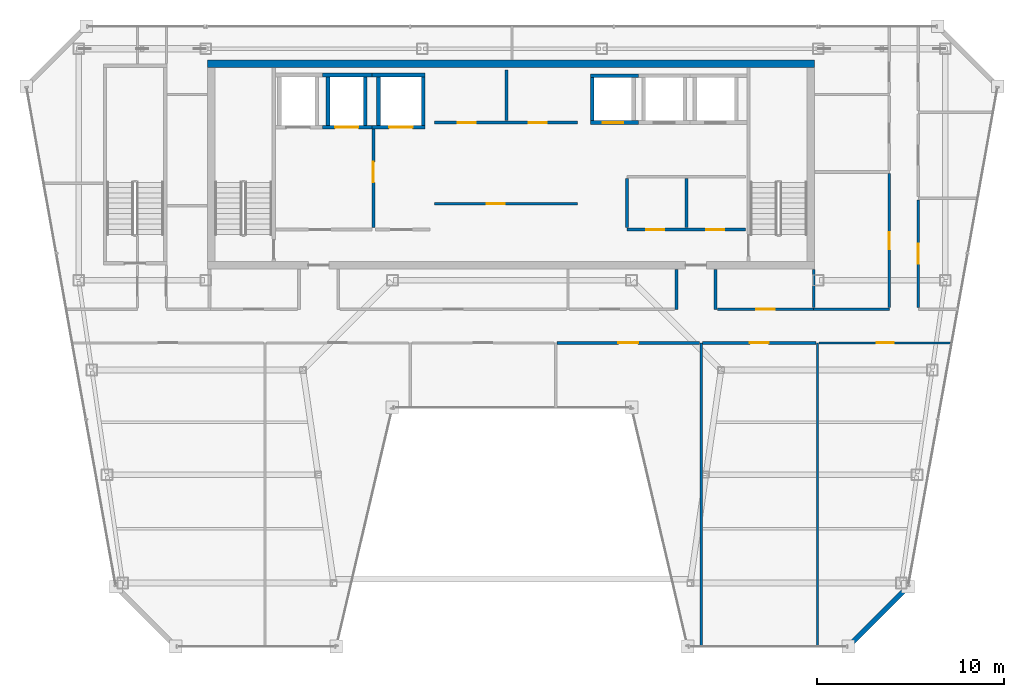
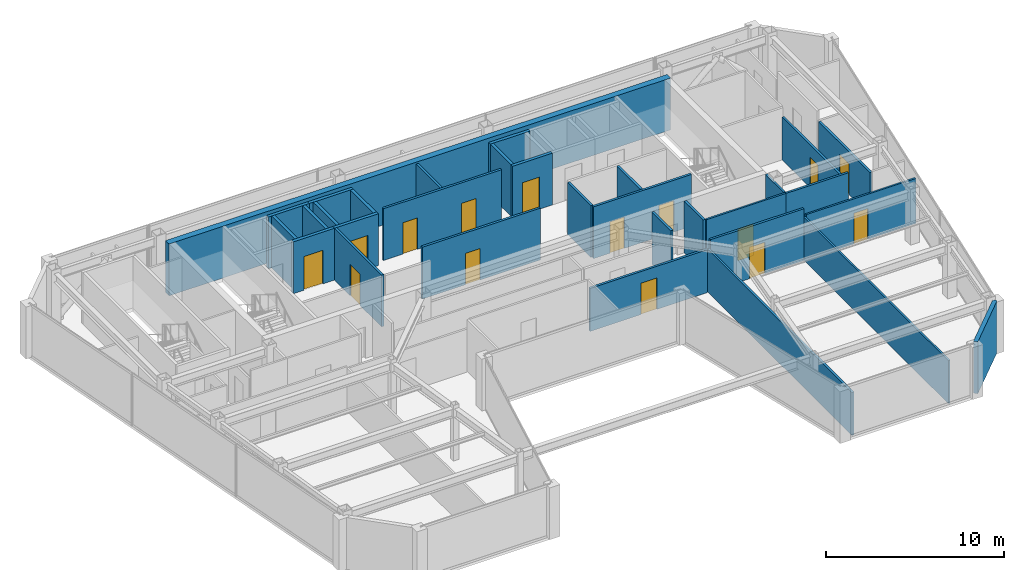
# One storey, part 28 of 32: 32 walls, 15 doors, 15 openings.
"""IFC4 building model written with IfcOpenShell, lengths in metres."""

from ifc_helpers import new_model, si_unit, direction, frame, frame_2d, origin, place, context, subcontext, project, spatial, rectangle, extrude, material, layer, layer_set, type_object, element, fill, save


model = new_model("IFC4")

# Units and contexts
model_context = context("Model", 3, precision=1e-05, world=origin(), true_north=direction((0.0, 1.0)))
body_context = subcontext(model_context, "Body", "Model", "MODEL_VIEW")
ifc_project = project(units=[si_unit("LENGTHUNIT", "METRE"), si_unit("AREAUNIT", "SQUARE_METRE"), si_unit("VOLUMEUNIT", "CUBIC_METRE"), si_unit("PLANEANGLEUNIT", "RADIAN"), si_unit("MASSUNIT", "GRAM", prefix="KILO")], contexts=[model_context])

# Site, building, storey
site_placement = place(None, origin())
site = spatial("IfcSite", under=ifc_project, at=site_placement, CompositionType="ELEMENT")
building_placement = place(site_placement, origin())
building = spatial("IfcBuilding", under=site, at=building_placement, Name="Saevonmaru Cultural Tower", CompositionType="ELEMENT")
storey_placement = place(building_placement, frame((0.0, 0.0, 261.0)))
storey = spatial("IfcBuildingStorey", under=building, at=storey_placement, Name="L61", CompositionType="ELEMENT", Elevation=261.0)

# Wall
ifc_material_1 = material(Name="Concrete C50/60", Category="concrete")
ifc_layer_1 = layer(ifc_material_1, 0.39990234375, Name="Concrete C50/60")
ifc_layer_set_1 = layer_set([ifc_layer_1], Name="Concrete C50/60")
wall_type_1 = type_object("IfcWallType", Name="WL-CORE-400", PredefinedType="SHEAR", material=ifc_layer_set_1)
wall_1_placement = place(storey_placement, frame((13.699951171875, 54.0, 0.0), z_axis=(0.0, 0.0, 1.0), x_axis=(1.0, 0.0, 0.0)))
element("IfcWall", 1, at=wall_1_placement, inside=storey, type_object=wall_type_1, Name="L61 Tower RC core shear wall N", PredefinedType="SHEAR", context=body_context, shape_type="SweptSolid", body=[
    extrude(rectangle(XDim=32.5, YDim=0.39990234375, at=frame_2d((16.25, 0.0))), origin(), (0.0, 0.0, 1.0), 3.550048828125),
])

# Wall, opening, door
ifc_material_2 = material(Name="Gypsum Fireboard Partition", Category="gypsum")
ifc_layer_2 = layer(ifc_material_2, 0.14990234375, Name="Gypsum Fireboard Partition")
ifc_layer_set_2 = layer_set([ifc_layer_2], Name="Gypsum Fireboard Partition")
wall_type_2 = type_object("IfcWallType", Name="WL-CORE-PART-150", PredefinedType="PARTITIONING", material=ifc_layer_set_2)
wall_2_placement = place(storey_placement, frame((22.580078125, 50.550048828125, 0.0), z_axis=(0.0, 0.0, 1.0), x_axis=(0.0, -1.0, 0.0)))
wall_2 = element("IfcWall", 2, at=wall_2_placement, inside=storey, type_object=wall_type_2, Name="L61 Firefighting Lift Lobby East Wall", PredefinedType="PARTITIONING", context=body_context, shape_type="SweptSolid", body=[
    extrude(rectangle(XDim=5.330078125, YDim=0.14990234375, at=frame_2d((2.6650390625, 0.0))), origin(), (0.0, 0.0, 1.0), 3.550048828125),
])
opening_1_placement = place(wall_2_placement, frame((1.800048828125, 0.0, 0.0)))
opening_1 = element("IfcOpeningElement", 3, at=opening_1_placement, cuts=wall_2, Name="Opening FD-2", PredefinedType="OPENING", context=body_context, shape_type="SweptSolid", body=[
    extrude(rectangle(XDim=1.10009765625, YDim=2.14990234375, at=frame_2d((0.550048828125, 1.074951171875))), frame((0.0, 0.0849609375, 0.0), z_axis=(0.0, -1.0, 0.0), x_axis=(1.0, 0.0, 0.0)), (0.0, 0.0, 1.0), 0.169921875),
])
ifc_material_3 = material(Name="Satin Bronze Anodised Aluminium", Category="aluminium")
door_type_1 = type_object("IfcDoorType", Name="DR-FD60-1100", OperationType="SINGLE_SWING_LEFT", PredefinedType="DOOR", material=ifc_material_3)
door_1_placement = place(opening_1_placement, origin())
door_1 = element("IfcDoor", 4, at=door_1_placement, inside=storey, type_object=door_type_1, Name="L61 Firefighting Lift Lobby East Door", OperationType="SINGLE_SWING_LEFT", OverallHeight=2.14990234375, OverallWidth=1.10009765625, PredefinedType="DOOR", context=body_context, shape_type="SweptSolid", body=[
    extrude(rectangle(XDim=1.10009765625, YDim=2.14990234375, at=frame_2d((0.550048828125, 1.074951171875))), frame((0.0, 0.02490234375, 0.0), z_axis=(0.0, -1.0, 0.0), x_axis=(1.0, 0.0, 0.0)), (0.0, 0.0, 1.0), 0.050048828125),
])
fill(opening_1, door_1)

# Wall, openings, doors
wall_3_placement = place(storey_placement, frame((36.14990234375, 45.1201171875, 0.0), z_axis=(0.0, 0.0, 1.0), x_axis=(1.0, 0.0, 0.0)))
wall_3 = element("IfcWall", 5, at=wall_3_placement, inside=storey, type_object=wall_type_2, Name="L61 Core Cluster South Wall", PredefinedType="PARTITIONING", context=body_context, shape_type="SweptSolid", body=[
    extrude(rectangle(XDim=6.35009765625, YDim=0.14990234375, at=frame_2d((3.175048828125, 0.0))), origin(), (0.0, 0.0, 1.0), 3.550048828125),
])
opening_2_placement = place(wall_3_placement, frame((1.050048828125, 0.0, 0.0)))
opening_2 = element("IfcOpeningElement", 6, at=opening_2_placement, cuts=wall_3, Name="Opening FD-4", PredefinedType="OPENING", context=body_context, shape_type="SweptSolid", body=[
    extrude(rectangle(XDim=0.949951171875, YDim=2.14990234375, at=frame_2d((0.47509765625, 1.074951171875))), frame((0.0, 0.0849609375, 0.0), z_axis=(0.0, -1.0, 0.0), x_axis=(1.0, 0.0, 0.0)), (0.0, 0.0, 1.0), 0.169921875),
])
opening_3_placement = place(wall_3_placement, frame((4.25, 0.0, 0.0)))
opening_3 = element("IfcOpeningElement", 7, at=opening_3_placement, cuts=wall_3, Name="Opening FD-4", PredefinedType="OPENING", context=body_context, shape_type="SweptSolid", body=[
    extrude(rectangle(XDim=0.949951171875, YDim=2.14990234375, at=frame_2d((0.47509765625, 1.074951171875))), frame((0.0, 0.0849609375, 0.0), z_axis=(0.0, -1.0, 0.0), x_axis=(1.0, 0.0, 0.0)), (0.0, 0.0, 1.0), 0.169921875),
])
door_type_2 = type_object("IfcDoorType", Name="DR-FD60-950", OperationType="SINGLE_SWING_LEFT", PredefinedType="DOOR", material=ifc_material_3)
door_2_placement = place(opening_2_placement, origin())
door_2 = element("IfcDoor", 8, at=door_2_placement, inside=storey, type_object=door_type_2, Name="L61 BMS Control Room Door", OperationType="SINGLE_SWING_LEFT", OverallHeight=2.14990234375, OverallWidth=0.949951171875, PredefinedType="DOOR", context=body_context, shape_type="SweptSolid", body=[
    extrude(rectangle(XDim=0.949951171875, YDim=2.14990234375, at=frame_2d((0.47509765625, 1.074951171875))), frame((0.0, 0.02490234375, 0.0), z_axis=(0.0, -1.0, 0.0), x_axis=(1.0, 0.0, 0.0)), (0.0, 0.0, 1.0), 0.050048828125),
])
fill(opening_2, door_2)
door_3_placement = place(opening_3_placement, origin())
door_3 = element("IfcDoor", 9, at=door_3_placement, inside=storey, type_object=door_type_2, Name="L61 Fibre Node Plant Door", OperationType="SINGLE_SWING_LEFT", OverallHeight=2.14990234375, OverallWidth=0.949951171875, PredefinedType="DOOR", context=body_context, shape_type="SweptSolid", body=[
    extrude(rectangle(XDim=0.949951171875, YDim=2.14990234375, at=frame_2d((0.47509765625, 1.074951171875))), frame((0.0, 0.02490234375, 0.0), z_axis=(0.0, -1.0, 0.0), x_axis=(1.0, 0.0, 0.0)), (0.0, 0.0, 1.0), 0.050048828125),
])
fill(opening_3, door_3)

# Walls
for number, where, z_axis, x_axis, name in (
    (10, (36.14990234375, 45.219970703125, 0.0), (0.0, 0.0, 1.0), (0.0, 1.0, 0.0), "L61 Core Cluster West Wall"),
    (11, (39.35009765625, 45.219970703125, 0.0), (0.0, 0.0, 1.0), (0.0, 1.0, 0.0), "L61 Core Cluster Inner Split"),
):
    element("IfcWall", number, at=place(storey_placement, frame(where, z_axis=z_axis, x_axis=x_axis)), inside=storey, type_object=wall_type_2, Name=name, PredefinedType="PARTITIONING", context=body_context, shape_type="SweptSolid", body=[
        extrude(rectangle(XDim=2.630126953125, YDim=0.14990234375, at=frame_2d((1.31494140625, 0.0))), origin(), (0.0, 0.0, 1.0), 3.550048828125),
    ])

# Wall, openings, doors
wall_4_placement = place(storey_placement, frame((25.85009765625, 50.85009765625, 0.0), z_axis=(0.0, 0.0, 1.0), x_axis=(1.0, 0.0, 0.0)))
wall_4 = element("IfcWall", 12, at=wall_4_placement, inside=storey, type_object=wall_type_2, Name="L61 Reclaimed Core Room South Wall", PredefinedType="PARTITIONING", context=body_context, shape_type="SweptSolid", body=[
    extrude(rectangle(XDim=7.64990234375, YDim=0.14990234375, at=frame_2d((3.824951171875, 0.0))), origin(), (0.0, 0.0, 1.0), 3.550048828125),
])
opening_4_placement = place(wall_4_placement, frame((1.25, 0.0, 0.0)))
opening_4 = element("IfcOpeningElement", 13, at=opening_4_placement, cuts=wall_4, Name="Opening FD-4", PredefinedType="OPENING", context=body_context, shape_type="SweptSolid", body=[
    extrude(rectangle(XDim=0.949951171875, YDim=2.14990234375, at=frame_2d((0.47509765625, 1.074951171875))), frame((0.0, 0.0849609375, 0.0), z_axis=(0.0, -1.0, 0.0), x_axis=(1.0, 0.0, 0.0)), (0.0, 0.0, 1.0), 0.169921875),
])
opening_5_placement = place(wall_4_placement, frame((5.050048828125, 0.0, 0.0)))
opening_5 = element("IfcOpeningElement", 14, at=opening_5_placement, cuts=wall_4, Name="Opening FD-4", PredefinedType="OPENING", context=body_context, shape_type="SweptSolid", body=[
    extrude(rectangle(XDim=0.949951171875, YDim=2.14990234375, at=frame_2d((0.47509765625, 1.074951171875))), frame((0.0, 0.0849609375, 0.0), z_axis=(0.0, -1.0, 0.0), x_axis=(1.0, 0.0, 0.0)), (0.0, 0.0, 1.0), 0.169921875),
])
door_4_placement = place(opening_4_placement, origin())
door_4 = element("IfcDoor", 15, at=door_4_placement, inside=storey, type_object=door_type_2, Name="L61 Reclaimed Archive Vault Door", OperationType="SINGLE_SWING_LEFT", OverallHeight=2.14990234375, OverallWidth=0.949951171875, PredefinedType="DOOR", context=body_context, shape_type="SweptSolid", body=[
    extrude(rectangle(XDim=0.949951171875, YDim=2.14990234375, at=frame_2d((0.47509765625, 1.074951171875))), frame((0.0, 0.02490234375, 0.0), z_axis=(0.0, -1.0, 0.0), x_axis=(1.0, 0.0, 0.0)), (0.0, 0.0, 1.0), 0.050048828125),
])
fill(opening_4, door_4)
door_5_placement = place(opening_5_placement, origin())
door_5 = element("IfcDoor", 16, at=door_5_placement, inside=storey, type_object=door_type_2, Name="L61 Reclaimed Conservation Storage Door", OperationType="SINGLE_SWING_LEFT", OverallHeight=2.14990234375, OverallWidth=0.949951171875, PredefinedType="DOOR", context=body_context, shape_type="SweptSolid", body=[
    extrude(rectangle(XDim=0.949951171875, YDim=2.14990234375, at=frame_2d((0.47509765625, 1.074951171875))), frame((0.0, 0.02490234375, 0.0), z_axis=(0.0, -1.0, 0.0), x_axis=(1.0, 0.0, 0.0)), (0.0, 0.0, 1.0), 0.050048828125),
])
fill(opening_5, door_5)

# Wall
wall_5_placement = place(storey_placement, frame((29.699951171875, 50.949951171875, 0.0), z_axis=(0.0, 0.0, 1.0), x_axis=(0.0, 1.0, 0.0)))
element("IfcWall", 17, at=wall_5_placement, inside=storey, type_object=wall_type_2, Name="L61 Reclaimed Vault Split", PredefinedType="PARTITIONING", context=body_context, shape_type="SweptSolid", body=[
    extrude(rectangle(XDim=2.699951171875, YDim=0.14990234375, at=frame_2d((1.35009765625, 0.0))), origin(), (0.0, 0.0, 1.0), 3.550048828125),
])

# Wall, opening, door
wall_6_placement = place(storey_placement, frame((25.85009765625, 46.5, 0.0), z_axis=(0.0, 0.0, 1.0), x_axis=(1.0, 0.0, 0.0)))
wall_6 = element("IfcWall", 18, at=wall_6_placement, inside=storey, type_object=wall_type_2, Name="L61 Reclaimed Mid-Shaft Wall", PredefinedType="PARTITIONING", context=body_context, shape_type="SweptSolid", body=[
    extrude(rectangle(XDim=7.64990234375, YDim=0.14990234375, at=frame_2d((3.824951171875, 0.0))), origin(), (0.0, 0.0, 1.0), 3.550048828125),
])
opening_6_placement = place(wall_6_placement, frame((2.800048828125, 0.0, 0.0)))
opening_6 = element("IfcOpeningElement", 19, at=opening_6_placement, cuts=wall_6, Name="Opening FD-4", PredefinedType="OPENING", context=body_context, shape_type="SweptSolid", body=[
    extrude(rectangle(XDim=0.949951171875, YDim=2.14990234375, at=frame_2d((0.47509765625, 1.074951171875))), frame((0.0, 0.0849609375, 0.0), z_axis=(0.0, -1.0, 0.0), x_axis=(1.0, 0.0, 0.0)), (0.0, 0.0, 1.0), 0.169921875),
])
door_6_placement = place(opening_6_placement, origin())
door_6 = element("IfcDoor", 20, at=door_6_placement, inside=storey, type_object=door_type_2, Name="L61 Reclaimed Manuscript Storage Door", OperationType="SINGLE_SWING_LEFT", OverallHeight=2.14990234375, OverallWidth=0.949951171875, PredefinedType="DOOR", context=body_context, shape_type="SweptSolid", body=[
    extrude(rectangle(XDim=0.949951171875, YDim=2.14990234375, at=frame_2d((0.47509765625, 1.074951171875))), frame((0.0, 0.02490234375, 0.0), z_axis=(0.0, -1.0, 0.0), x_axis=(1.0, 0.0, 0.0)), (0.0, 0.0, 1.0), 0.050048828125),
])
fill(opening_6, door_6)

# Wall
ifc_material_4 = material(Name="Granite-Clad Precast Concrete C40/50", Category="masonry")
ifc_layer_3 = layer(ifc_material_4, 0.260009765625, Name="Granite-Clad Precast Concrete C40/50")
ifc_layer_set_3 = layer_set([ifc_layer_3], Name="Granite-Clad Precast Concrete C40/50")
wall_type_3 = type_object("IfcWallType", Name="WL-EXT-SPANDREL-260", PredefinedType="STANDARD", material=ifc_layer_set_3)
wall_7_placement = place(storey_placement, frame((48.117431640625, 22.9130859375, 0.0), z_axis=(0.0, 0.0, 1.0), x_axis=(0.707106781187, 0.707106781187, 0.0)))
element("IfcWall", 21, at=wall_7_placement, inside=storey, type_object=wall_type_3, Name="L61 Chamfer Corner Spandrel Wall E7", PredefinedType="STANDARD", context=body_context, shape_type="SweptSolid", body=[
    extrude(rectangle(XDim=4.205810546875, YDim=0.260009765625, at=frame_2d((2.10302734375, 0.0))), origin(), (0.0, 0.0, 1.0), 3.550048828125),
])

# Wall, opening, door
ifc_layer_4 = layer(ifc_material_2, 0.14990234375, Name="Gypsum Fireboard Partition")
ifc_layer_set_4 = layer_set([ifc_layer_4], Name="Gypsum Fireboard Partition")
wall_type_4 = type_object("IfcWallType", Name="WL-PART-FIRE-150", PredefinedType="PARTITIONING", material=ifc_layer_set_4)
wall_8_placement = place(storey_placement, frame((51.75, 40.9375, 0.0), z_axis=(0.0, 0.0, 1.0), x_axis=(0.0, 1.0, 0.0)))
wall_8 = element("IfcWall", 22, at=wall_8_placement, inside=storey, type_object=wall_type_4, Name="L61 Skyline Exhibition Gallery Corridor Wall", PredefinedType="PARTITIONING", context=body_context, shape_type="SweptSolid", body=[
    extrude(rectangle(XDim=5.77490234375, YDim=0.14990234375, at=frame_2d((2.887451171875, 0.0))), origin(), (0.0, 0.0, 1.0), 2.947021484375),
])
opening_7_placement = place(wall_8_placement, frame((2.362060546875, 0.0, 0.0)))
opening_7 = element("IfcOpeningElement", 23, at=opening_7_placement, cuts=wall_8, Name="Opening ID-1", PredefinedType="OPENING", context=body_context, shape_type="SweptSolid", body=[
    extrude(rectangle(XDim=1.050048828125, YDim=2.14990234375, at=frame_2d((0.52490234375, 1.074951171875))), frame((0.0, 0.0849609375, 0.0), z_axis=(0.0, -1.0, 0.0), x_axis=(1.0, 0.0, 0.0)), (0.0, 0.0, 1.0), 0.169921875),
])
door_type_3 = type_object("IfcDoorType", Name="DR-INT-1050", OperationType="SINGLE_SWING_LEFT", PredefinedType="DOOR", material=ifc_material_3)
door_7_placement = place(opening_7_placement, origin())
door_7 = element("IfcDoor", 24, at=door_7_placement, inside=storey, type_object=door_type_3, Name="L61 Skyline Exhibition Gallery Door", OperationType="SINGLE_SWING_LEFT", OverallHeight=2.14990234375, OverallWidth=1.050048828125, PredefinedType="DOOR", context=body_context, shape_type="SweptSolid", body=[
    extrude(rectangle(XDim=1.050048828125, YDim=2.14990234375, at=frame_2d((0.52490234375, 1.074951171875))), frame((0.0, 0.02490234375, 0.0), z_axis=(0.0, -1.0, 0.0), x_axis=(1.0, 0.0, 0.0)), (0.0, 0.0, 1.0), 0.050048828125),
])
fill(opening_7, door_7)

# Walls
for number, where, z_axis, x_axis, name in (
    (25, (38.800048828125, 40.85009765625, 0.0), (0.0, 0.0, 1.0), (0.0, 1.0, 0.0), "L61 Core Portal Side Wall E1"),
    (26, (40.89990234375, 40.85009765625, 0.0), (0.0, 0.0, 1.0), (0.0, 1.0, 0.0), "L61 Core Portal Side Wall E2"),
):
    element("IfcWall", number, at=place(storey_placement, frame(where, z_axis=z_axis, x_axis=x_axis)), inside=storey, type_object=wall_type_4, Name=name, PredefinedType="PARTITIONING", context=body_context, shape_type="SweptSolid", body=[
        extrude(rectangle(XDim=2.1298828125, YDim=0.14990234375, at=frame_2d((1.06494140625, 0.0))), origin(), (0.0, 0.0, 1.0), 3.550048828125),
    ])

# Wall, opening, door
wall_9_placement = place(storey_placement, frame((32.419921875, 39.050048828125, 0.0), z_axis=(0.0, 0.0, 1.0), x_axis=(1.0, 0.0, 0.0)))
wall_9 = element("IfcWall", 27, at=wall_9_placement, inside=storey, type_object=wall_type_4, Name="L61 Skyline Exhibition Gallery Corridor Wall", PredefinedType="PARTITIONING", context=body_context, shape_type="SweptSolid", body=[
    extrude(rectangle(XDim=7.612548828125, YDim=0.14990234375, at=frame_2d((3.80615234375, 0.0))), origin(), (0.0, 0.0, 1.0), 2.947021484375),
])
opening_8_placement = place(wall_9_placement, frame((3.281005859375, 0.0, 0.0)))
opening_8 = element("IfcOpeningElement", 28, at=opening_8_placement, cuts=wall_9, Name="Opening ID-1", PredefinedType="OPENING", context=body_context, shape_type="SweptSolid", body=[
    extrude(rectangle(XDim=1.050048828125, YDim=2.14990234375, at=frame_2d((0.52490234375, 1.074951171875))), frame((0.0, 0.0849609375, 0.0), z_axis=(0.0, -1.0, 0.0), x_axis=(1.0, 0.0, 0.0)), (0.0, 0.0, 1.0), 0.169921875),
])
door_8_placement = place(opening_8_placement, origin())
door_8 = element("IfcDoor", 29, at=door_8_placement, inside=storey, type_object=door_type_3, Name="L61 Skyline Exhibition Gallery Door", OperationType="SINGLE_SWING_LEFT", OverallHeight=2.14990234375, OverallWidth=1.050048828125, PredefinedType="DOOR", context=body_context, shape_type="SweptSolid", body=[
    extrude(rectangle(XDim=1.050048828125, YDim=2.14990234375, at=frame_2d((0.52490234375, 1.074951171875))), frame((0.0, 0.02490234375, 0.0), z_axis=(0.0, -1.0, 0.0), x_axis=(1.0, 0.0, 0.0)), (0.0, 0.0, 1.0), 0.050048828125),
])
fill(opening_8, door_8)

wall_10_placement = place(storey_placement, frame((40.20751953125, 39.050048828125, 0.0), z_axis=(0.0, 0.0, 1.0), x_axis=(1.0, 0.0, 0.0)))
wall_10 = element("IfcWall", 30, at=wall_10_placement, inside=storey, type_object=wall_type_4, Name="L61 Acoustic Chamber Auditorium Corridor Wall", PredefinedType="PARTITIONING", context=body_context, shape_type="SweptSolid", body=[
    extrude(rectangle(XDim=6.0625, YDim=0.14990234375, at=frame_2d((3.03125, 0.0))), origin(), (0.0, 0.0, 1.0), 3.550048828125),
])
opening_9_placement = place(wall_10_placement, frame((2.531005859375, 0.0, 0.0)))
opening_9 = element("IfcOpeningElement", 31, at=opening_9_placement, cuts=wall_10, Name="Opening ID-1B", PredefinedType="OPENING", context=body_context, shape_type="SweptSolid", body=[
    extrude(rectangle(XDim=1.0, YDim=2.14990234375, at=frame_2d((0.5, 1.074951171875))), frame((0.0, 0.0849609375, 0.0), z_axis=(0.0, -1.0, 0.0), x_axis=(1.0, 0.0, 0.0)), (0.0, 0.0, 1.0), 0.169921875),
])
ifc_material_5 = material(Name="Acoustic Stained Oak Timber", Category="wood")
door_type_4 = type_object("IfcDoorType", Name="DR-INT-1000", OperationType="SINGLE_SWING_RIGHT", PredefinedType="DOOR", material=ifc_material_5)
door_9_placement = place(opening_9_placement, origin())
door_9 = element("IfcDoor", 32, at=door_9_placement, inside=storey, type_object=door_type_4, Name="L61 Acoustic Chamber Auditorium Door", OperationType="SINGLE_SWING_RIGHT", OverallHeight=2.14990234375, OverallWidth=1.0, PredefinedType="DOOR", context=body_context, shape_type="SweptSolid", body=[
    extrude(rectangle(XDim=1.0, YDim=2.14990234375, at=frame_2d((0.5, 1.074951171875))), frame((0.0, 0.02490234375, 0.0), z_axis=(0.0, -1.0, 0.0), x_axis=(1.0, 0.0, 0.0)), (0.0, 0.0, 1.0), 0.050048828125),
])
fill(opening_9, door_9)

ifc_layer_5 = layer(ifc_material_2, 0.1201171875, Name="Gypsum Fireboard Partition")
ifc_layer_set_5 = layer_set([ifc_layer_5], Name="Gypsum Fireboard Partition")
wall_type_5 = type_object("IfcWallType", Name="WL-PART-GYP-120", PredefinedType="PARTITIONING", material=ifc_layer_set_5)
wall_11_placement = place(storey_placement, frame((40.9951171875, 40.85009765625, 0.0), z_axis=(0.0, 0.0, 1.0), x_axis=(1.0, 0.0, 0.0)))
wall_11 = element("IfcWall", 33, at=wall_11_placement, inside=storey, type_object=wall_type_5, Name="L61 Terrace Overlook Cafe Corridor Wall", PredefinedType="PARTITIONING", context=body_context, shape_type="SweptSolid", body=[
    extrude(rectangle(XDim=5.15478515625, YDim=0.1201171875, at=frame_2d((2.577392578125, 0.0))), origin(), (0.0, 0.0, 1.0), 3.550048828125),
])
opening_10_placement = place(wall_11_placement, frame((2.077880859375, 0.0, 0.0)))
opening_10 = element("IfcOpeningElement", 34, at=opening_10_placement, cuts=wall_11, Name="Opening ID-1B", PredefinedType="OPENING", context=body_context, shape_type="SweptSolid", body=[
    extrude(rectangle(XDim=1.0, YDim=2.14990234375, at=frame_2d((0.5, 1.074951171875))), frame((0.0, 0.070068359375, 0.0), z_axis=(0.0, -1.0, 0.0), x_axis=(1.0, 0.0, 0.0)), (0.0, 0.0, 1.0), 0.14013671875),
])
door_10_placement = place(opening_10_placement, origin())
door_10 = element("IfcDoor", 35, at=door_10_placement, inside=storey, type_object=door_type_4, Name="L61 Terrace Overlook Cafe Door", OperationType="SINGLE_SWING_LEFT", OverallHeight=2.14990234375, OverallWidth=1.0, PredefinedType="DOOR", context=body_context, shape_type="SweptSolid", body=[
    extrude(rectangle(XDim=1.0, YDim=2.14990234375, at=frame_2d((0.5, 1.074951171875))), frame((0.0, 0.02490234375, 0.0), z_axis=(0.0, -1.0, 0.0), x_axis=(1.0, 0.0, 0.0)), (0.0, 0.0, 1.0), 0.050048828125),
])
fill(opening_10, door_10)

# Wall
wall_12_placement = place(storey_placement, frame((46.35009765625, 22.804931640625, 0.0), z_axis=(0.0, 0.0, 1.0), x_axis=(0.0, 1.0, 0.0)))
element("IfcWall", 36, at=wall_12_placement, inside=storey, type_object=wall_type_5, Name="L61 Observatory Bay Divider 5", PredefinedType="PARTITIONING", context=body_context, shape_type="SweptSolid", body=[
    extrude(rectangle(XDim=16.2451171875, YDim=0.1201171875, at=frame_2d((8.12255859375, 0.0))), origin(), (0.0, 0.0, 1.0), 2.947021484375),
])

# Wall, opening, door
wall_13_placement = place(storey_placement, frame((46.429931640625, 39.050048828125, 0.0), z_axis=(0.0, 0.0, 1.0), x_axis=(1.0, 0.0, 0.0)))
wall_13 = element("IfcWall", 37, at=wall_13_placement, inside=storey, type_object=wall_type_5, Name="L61 Visiting Fellows Office Corridor Wall", PredefinedType="PARTITIONING", context=body_context, shape_type="SweptSolid", body=[
    extrude(rectangle(XDim=7.1044921875, YDim=0.1201171875, at=frame_2d((3.55224609375, 0.0))), origin(), (0.0, 0.0, 1.0), 3.0849609375),
])
opening_11_placement = place(wall_13_placement, frame((3.10205078125, 0.0, 0.0)))
opening_11 = element("IfcOpeningElement", 38, at=opening_11_placement, cuts=wall_13, Name="Opening ID-2", PredefinedType="OPENING", context=body_context, shape_type="SweptSolid", body=[
    extrude(rectangle(XDim=0.89990234375, YDim=2.10009765625, at=frame_2d((0.449951171875, 1.050048828125))), frame((0.0, 0.070068359375, 0.0), z_axis=(0.0, -1.0, 0.0), x_axis=(1.0, 0.0, 0.0)), (0.0, 0.0, 1.0), 0.14013671875),
])
door_type_5 = type_object("IfcDoorType", Name="DR-INT-900", OperationType="SINGLE_SWING_RIGHT", PredefinedType="DOOR", material=ifc_material_5)
door_11_placement = place(opening_11_placement, origin())
door_11 = element("IfcDoor", 39, at=door_11_placement, inside=storey, type_object=door_type_5, Name="L61 Visiting Fellows Office Door", OperationType="SINGLE_SWING_LEFT", OverallHeight=2.10009765625, OverallWidth=0.89990234375, PredefinedType="DOOR", context=body_context, shape_type="SweptSolid", body=[
    extrude(rectangle(XDim=0.89990234375, YDim=2.10009765625, at=frame_2d((0.449951171875, 1.050048828125))), frame((0.0, 0.02490234375, 0.0), z_axis=(0.0, -1.0, 0.0), x_axis=(1.0, 0.0, 0.0)), (0.0, 0.0, 1.0), 0.050048828125),
])
fill(opening_11, door_11)

# Walls
ifc_layer_6 = layer(ifc_material_2, 0.135009765625, Name="Gypsum Fireboard Partition")
ifc_layer_set_6 = layer_set([ifc_layer_6], Name="Gypsum Fireboard Partition")
wall_type_6 = type_object("IfcWallType", Name="WL-PART-GYP-135", PredefinedType="PARTITIONING", material=ifc_layer_set_6)
wall_14_placement = place(storey_placement, frame((40.1201171875, 22.804931640625, 0.0), z_axis=(0.0, 0.0, 1.0), x_axis=(0.0, 1.0, 0.0)))
element("IfcWall", 40, at=wall_14_placement, inside=storey, type_object=wall_type_6, Name="L61 Observatory Bay Divider 4", PredefinedType="PARTITIONING", context=body_context, shape_type="SweptSolid", body=[
    extrude(rectangle(XDim=16.2451171875, YDim=0.135009765625, at=frame_2d((8.12255859375, 0.0))), origin(), (0.0, 0.0, 1.0), 2.947021484375),
])
ifc_layer_7 = layer(ifc_material_2, 0.139892578125, Name="Gypsum Fireboard Partition")
ifc_layer_set_7 = layer_set([ifc_layer_7], Name="Gypsum Fireboard Partition")
wall_type_7 = type_object("IfcWallType", Name="WL-PART-WET-140", PredefinedType="PARTITIONING", material=ifc_layer_set_7)
wall_15_placement = place(storey_placement, frame((46.14990234375, 40.85009765625, 0.0), z_axis=(0.0, 0.0, 1.0), x_axis=(1.0, 0.0, 0.0)))
element("IfcWall", 41, at=wall_15_placement, inside=storey, type_object=wall_type_7, Name="L61 Washroom South Wall", PredefinedType="PARTITIONING", context=body_context, shape_type="SweptSolid", body=[
    extrude(rectangle(XDim=4.050048828125, YDim=0.139892578125, at=frame_2d((2.02490234375, 0.0))), origin(), (0.0, 0.0, 1.0), 3.550048828125),
])
wall_16_placement = place(storey_placement, frame((46.14990234375, 40.93994140625, 0.0), z_axis=(0.0, 0.0, 1.0), x_axis=(0.0, 1.0, 0.0)))
element("IfcWall", 42, at=wall_16_placement, inside=storey, type_object=wall_type_7, Name="L61 Washroom South-West Return", PredefinedType="PARTITIONING", context=body_context, shape_type="SweptSolid", body=[
    extrude(rectangle(XDim=2.0400390625, YDim=0.139892578125, at=frame_2d((1.02001953125, 0.0))), origin(), (0.0, 0.0, 1.0), 3.550048828125),
])

# Wall, opening, door
wall_17_placement = place(storey_placement, frame((50.199951171875, 40.93994140625, 0.0), z_axis=(0.0, 0.0, 1.0), x_axis=(0.0, 1.0, 0.0)))
wall_17 = element("IfcWall", 43, at=wall_17_placement, inside=storey, type_object=wall_type_7, Name="L61 Washroom Corridor Wall", PredefinedType="PARTITIONING", context=body_context, shape_type="SweptSolid", body=[
    extrude(rectangle(XDim=7.170166015625, YDim=0.139892578125, at=frame_2d((3.5849609375, 0.0))), origin(), (0.0, 0.0, 1.0), 2.947021484375),
])
opening_12_placement = place(wall_17_placement, frame((3.135009765625, 0.0, 0.0)))
opening_12 = element("IfcOpeningElement", 44, at=opening_12_placement, cuts=wall_17, Name="Opening ID-2", PredefinedType="OPENING", context=body_context, shape_type="SweptSolid", body=[
    extrude(rectangle(XDim=0.89990234375, YDim=2.10009765625, at=frame_2d((0.449951171875, 1.050048828125))), frame((0.0, 0.080078125, 0.0), z_axis=(0.0, -1.0, 0.0), x_axis=(1.0, 0.0, 0.0)), (0.0, 0.0, 1.0), 0.159912109375),
])
door_12_placement = place(opening_12_placement, origin())
door_12 = element("IfcDoor", 45, at=door_12_placement, inside=storey, type_object=door_type_5, Name="L61 Public Accessible Washrooms Door", OperationType="SINGLE_SWING_RIGHT", OverallHeight=2.10009765625, OverallWidth=0.89990234375, PredefinedType="DOOR", context=body_context, shape_type="SweptSolid", body=[
    extrude(rectangle(XDim=0.89990234375, YDim=2.10009765625, at=frame_2d((0.449951171875, 1.050048828125))), frame((0.0, 0.02490234375, 0.0), z_axis=(0.0, -1.0, 0.0), x_axis=(1.0, 0.0, 0.0)), (0.0, 0.0, 1.0), 0.050048828125),
])
fill(opening_12, door_12)

ifc_material_6 = material(Name="Concrete C40/50", Category="concrete")
ifc_layer_8 = layer(ifc_material_6, 0.199951171875, Name="Concrete C40/50")
ifc_layer_set_8 = layer_set([ifc_layer_8], Name="Concrete C40/50")
wall_type_8 = type_object("IfcWallType", Name="WL-SHAFT-200", PredefinedType="SHEAR", material=ifc_layer_set_8)
wall_18_placement = place(storey_placement, frame((19.85009765625, 50.60009765625, 0.0), z_axis=(0.0, 0.0, 1.0), x_axis=(1.0, 0.0, 0.0)))
wall_18 = element("IfcWall", 46, at=wall_18_placement, inside=storey, type_object=wall_type_8, Name="L61 Lift FFL-2 Hoistway Wall S", PredefinedType="SHEAR", context=body_context, shape_type="SweptSolid", body=[
    extrude(rectangle(XDim=2.64990234375, YDim=0.199951171875, at=frame_2d((1.324951171875, 0.0))), origin(), (0.0, 0.0, 1.0), 3.550048828125),
])
opening_13_placement = place(wall_18_placement, frame((0.675048828125, 0.0, 0.0)))
opening_13 = element("IfcOpeningElement", 47, at=opening_13_placement, cuts=wall_18, Name="Opening LD-2", PredefinedType="OPENING", context=body_context, shape_type="SweptSolid", body=[
    extrude(rectangle(XDim=1.25, YDim=2.300048828125, at=frame_2d((0.625, 1.14990234375))), frame((0.0, 0.10986328125, 0.0), z_axis=(0.0, -1.0, 0.0), x_axis=(1.0, 0.0, 0.0)), (0.0, 0.0, 1.0), 0.219970703125),
])
ifc_material_7 = material(Name="Stainless Steel 316", Category="steel")
door_type_6 = type_object("IfcDoorType", Name="DR-LIFT-1250", OperationType="SLIDING_TO_LEFT", PredefinedType="DOOR", material=ifc_material_7)
door_13_placement = place(opening_13_placement, origin())
door_13 = element("IfcDoor", 48, at=door_13_placement, inside=storey, type_object=door_type_6, Name="L61 Lift FFL-2 Sliding Landing Door", OperationType="SLIDING_TO_LEFT", OverallHeight=2.300048828125, OverallWidth=1.25, PredefinedType="DOOR", context=body_context, shape_type="SweptSolid", body=[
    extrude(rectangle(XDim=1.25, YDim=2.300048828125, at=frame_2d((0.625, 1.14990234375))), frame((0.0, 0.02490234375, 0.0), z_axis=(0.0, -1.0, 0.0), x_axis=(1.0, 0.0, 0.0)), (0.0, 0.0, 1.0), 0.050048828125),
])
fill(opening_13, door_13)

# Walls
wall_19_placement = place(storey_placement, frame((19.85009765625, 53.39990234375, 0.0), z_axis=(0.0, 0.0, 1.0), x_axis=(1.0, 0.0, 0.0)))
element("IfcWall", 49, at=wall_19_placement, inside=storey, type_object=wall_type_8, Name="L61 Lift FFL-2 Hoistway Wall N", PredefinedType="SHEAR", context=body_context, shape_type="SweptSolid", body=[
    extrude(rectangle(XDim=2.64990234375, YDim=0.199951171875, at=frame_2d((1.324951171875, 0.0))), origin(), (0.0, 0.0, 1.0), 3.550048828125),
])
for number, where, z_axis, x_axis, name in (
    (50, (20.14990234375, 50.699951171875, 0.0), (0.0, 0.0, 1.0), (0.0, 1.0, 0.0), "L61 Lift FFL-2 Hoistway Wall W"),
    (51, (22.14990234375, 50.699951171875, 0.0), (0.0, 0.0, 1.0), (0.0, 1.0, 0.0), "L61 Lift FFL-2 Hoistway Wall E"),
):
    element("IfcWall", number, at=place(storey_placement, frame(where, z_axis=z_axis, x_axis=x_axis)), inside=storey, type_object=wall_type_8, Name=name, PredefinedType="SHEAR", context=body_context, shape_type="SweptSolid", body=[
        extrude(rectangle(XDim=2.60009765625, YDim=0.199951171875, at=frame_2d((1.300048828125, 0.0))), origin(), (0.0, 0.0, 1.0), 3.550048828125),
    ])

# Wall, opening, door
wall_20_placement = place(storey_placement, frame((22.5, 50.60009765625, 0.0), z_axis=(0.0, 0.0, 1.0), x_axis=(1.0, 0.0, 0.0)))
wall_20 = element("IfcWall", 52, at=wall_20_placement, inside=storey, type_object=wall_type_8, Name="L61 Lift GL-1 Hoistway Wall S", PredefinedType="SHEAR", context=body_context, shape_type="SweptSolid", body=[
    extrude(rectangle(XDim=2.85009765625, YDim=0.199951171875, at=frame_2d((1.425048828125, 0.0))), origin(), (0.0, 0.0, 1.0), 3.550048828125),
])
opening_14_placement = place(wall_20_placement, frame((0.925048828125, 0.0, 0.0)))
opening_14 = element("IfcOpeningElement", 53, at=opening_14_placement, cuts=wall_20, Name="Opening LD-2", PredefinedType="OPENING", context=body_context, shape_type="SweptSolid", body=[
    extrude(rectangle(XDim=1.25, YDim=2.300048828125, at=frame_2d((0.625, 1.14990234375))), frame((0.0, 0.10986328125, 0.0), z_axis=(0.0, -1.0, 0.0), x_axis=(1.0, 0.0, 0.0)), (0.0, 0.0, 1.0), 0.219970703125),
])
door_14_placement = place(opening_14_placement, origin())
door_14 = element("IfcDoor", 54, at=door_14_placement, inside=storey, type_object=door_type_6, Name="L61 Lift GL-1 Sliding Landing Door", OperationType="SLIDING_TO_LEFT", OverallHeight=2.300048828125, OverallWidth=1.25, PredefinedType="DOOR", context=body_context, shape_type="SweptSolid", body=[
    extrude(rectangle(XDim=1.25, YDim=2.300048828125, at=frame_2d((0.625, 1.14990234375))), frame((0.0, 0.02490234375, 0.0), z_axis=(0.0, -1.0, 0.0), x_axis=(1.0, 0.0, 0.0)), (0.0, 0.0, 1.0), 0.050048828125),
])
fill(opening_14, door_14)

# Walls
wall_21_placement = place(storey_placement, frame((22.5, 53.39990234375, 0.0), z_axis=(0.0, 0.0, 1.0), x_axis=(1.0, 0.0, 0.0)))
element("IfcWall", 55, at=wall_21_placement, inside=storey, type_object=wall_type_8, Name="L61 Lift GL-1 Hoistway Wall N", PredefinedType="SHEAR", context=body_context, shape_type="SweptSolid", body=[
    extrude(rectangle(XDim=2.85009765625, YDim=0.199951171875, at=frame_2d((1.425048828125, 0.0))), origin(), (0.0, 0.0, 1.0), 3.550048828125),
])
for number, where, z_axis, x_axis, name in (
    (56, (22.85009765625, 50.699951171875, 0.0), (0.0, 0.0, 1.0), (0.0, 1.0, 0.0), "L61 Lift GL-1 Hoistway Wall W"),
    (57, (25.25, 50.699951171875, 0.0), (0.0, 0.0, 1.0), (0.0, 1.0, 0.0), "L61 Lift GL-1 Hoistway Wall E"),
):
    element("IfcWall", number, at=place(storey_placement, frame(where, z_axis=z_axis, x_axis=x_axis)), inside=storey, type_object=wall_type_8, Name=name, PredefinedType="SHEAR", context=body_context, shape_type="SweptSolid", body=[
        extrude(rectangle(XDim=2.60009765625, YDim=0.199951171875, at=frame_2d((1.300048828125, 0.0))), origin(), (0.0, 0.0, 1.0), 3.550048828125),
    ])

# Wall, opening, door
wall_22_placement = place(storey_placement, frame((34.199951171875, 50.85009765625, 0.0), z_axis=(0.0, 0.0, 1.0), x_axis=(1.0, 0.0, 0.0)))
wall_22 = element("IfcWall", 58, at=wall_22_placement, inside=storey, type_object=wall_type_8, Name="L61 Lift PL-H1 Hoistway Wall S", PredefinedType="SHEAR", context=body_context, shape_type="SweptSolid", body=[
    extrude(rectangle(XDim=2.574951171875, YDim=0.199951171875, at=frame_2d((1.28759765625, 0.0))), origin(), (0.0, 0.0, 1.0), 3.550048828125),
])
opening_15_placement = place(wall_22_placement, frame((0.64990234375, 0.0, 0.0)))
opening_15 = element("IfcOpeningElement", 59, at=opening_15_placement, cuts=wall_22, Name="Opening LD-1", PredefinedType="OPENING", context=body_context, shape_type="SweptSolid", body=[
    extrude(rectangle(XDim=1.10009765625, YDim=2.199951171875, at=frame_2d((0.550048828125, 1.10009765625))), frame((0.0, 0.10986328125, 0.0), z_axis=(0.0, -1.0, 0.0), x_axis=(1.0, 0.0, 0.0)), (0.0, 0.0, 1.0), 0.219970703125),
])
ifc_material_8 = material(Name="Satin Bronze Stainless Steel", Category="steel")
door_type_7 = type_object("IfcDoorType", Name="DR-LIFT-1100", OperationType="SLIDING_TO_LEFT", PredefinedType="DOOR", material=ifc_material_8)
door_15_placement = place(opening_15_placement, origin())
door_15 = element("IfcDoor", 60, at=door_15_placement, inside=storey, type_object=door_type_7, Name="L61 Lift PL-H1 Sliding Landing Door", OperationType="SLIDING_TO_LEFT", OverallHeight=2.199951171875, OverallWidth=1.10009765625, PredefinedType="DOOR", context=body_context, shape_type="SweptSolid", body=[
    extrude(rectangle(XDim=1.10009765625, YDim=2.199951171875, at=frame_2d((0.550048828125, 1.10009765625))), frame((0.0, 0.02490234375, 0.0), z_axis=(0.0, -1.0, 0.0), x_axis=(1.0, 0.0, 0.0)), (0.0, 0.0, 1.0), 0.050048828125),
])
fill(opening_15, door_15)

# Walls
wall_23_placement = place(storey_placement, frame((34.199951171875, 53.35009765625, 0.0), z_axis=(0.0, 0.0, 1.0), x_axis=(1.0, 0.0, 0.0)))
element("IfcWall", 61, at=wall_23_placement, inside=storey, type_object=wall_type_8, Name="L61 Lift PL-H1 Hoistway Wall N", PredefinedType="SHEAR", context=body_context, shape_type="SweptSolid", body=[
    extrude(rectangle(XDim=2.574951171875, YDim=0.199951171875, at=frame_2d((1.28759765625, 0.0))), origin(), (0.0, 0.0, 1.0), 3.550048828125),
])
wall_24_placement = place(storey_placement, frame((34.300048828125, 50.949951171875, 0.0), z_axis=(0.0, 0.0, 1.0), x_axis=(0.0, 1.0, 0.0)))
element("IfcWall", 62, at=wall_24_placement, inside=storey, type_object=wall_type_8, Name="L61 Lift PL-H1 Hoistway Wall W", PredefinedType="SHEAR", context=body_context, shape_type="SweptSolid", body=[
    extrude(rectangle(XDim=2.300048828125, YDim=0.199951171875, at=frame_2d((1.14990234375, 0.0))), origin(), (0.0, 0.0, 1.0), 3.550048828125),
])

save(model, "model.ifc")
